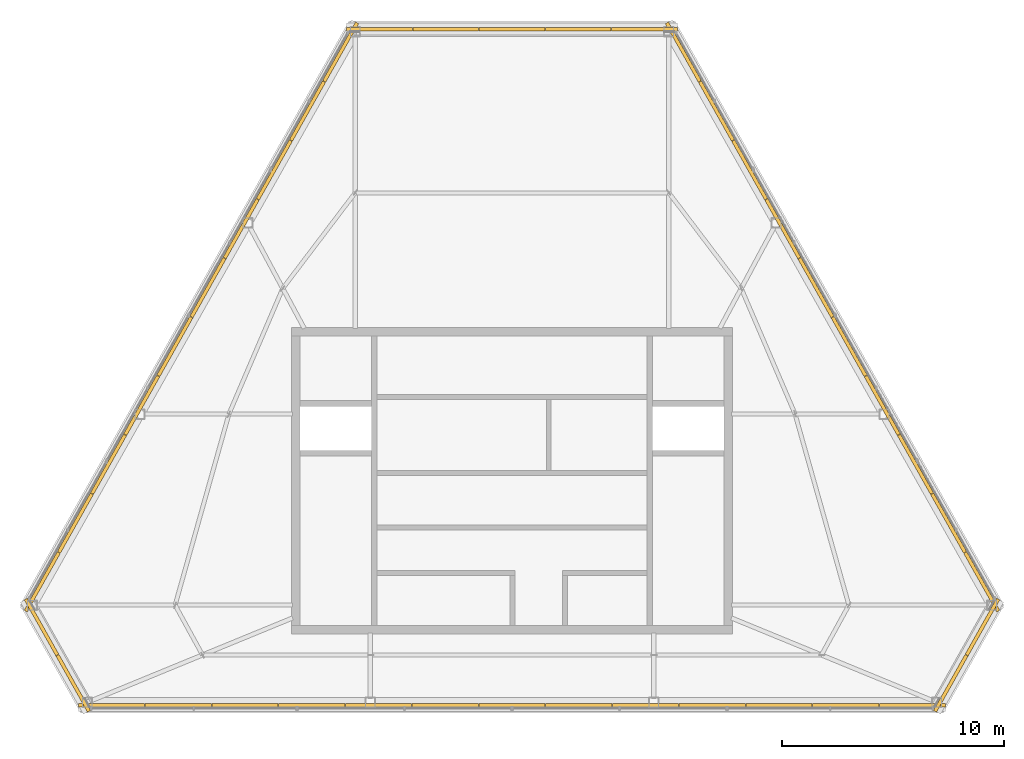
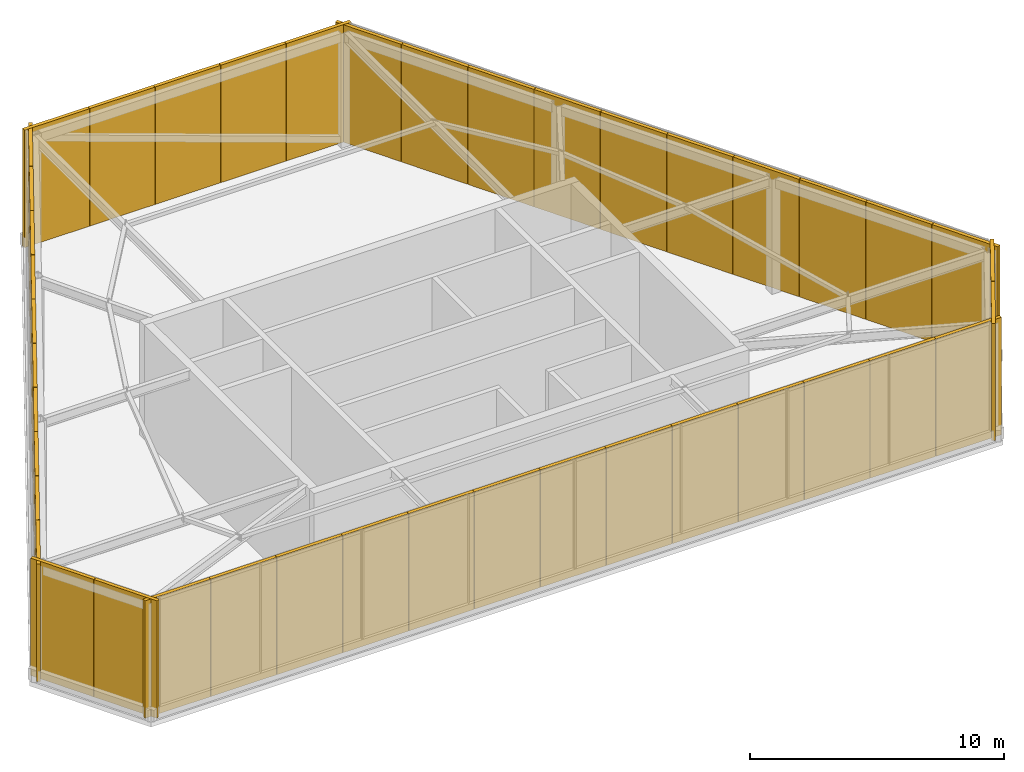
# One storey, part 12 of 12: 42 shading devices.
"""IFC4 building model written with IfcOpenShell, lengths in metres."""

from ifc_helpers import new_model, si_unit, direction, frame, origin, origin_2d, place, context, subcontext, project, spatial, rectangle, extrude, material, layer, layer_set, type_object, element, save


model = new_model("IFC4")

# Units and contexts
model_context = context("Model", 3, precision=1e-05, world=origin(), true_north=direction((0.0, 1.0)))
body_context = subcontext(model_context, "Body", "Model", "MODEL_VIEW")
ifc_project = project(units=[si_unit("LENGTHUNIT", "METRE"), si_unit("AREAUNIT", "SQUARE_METRE"), si_unit("VOLUMEUNIT", "CUBIC_METRE"), si_unit("PLANEANGLEUNIT", "RADIAN"), si_unit("MASSUNIT", "GRAM", prefix="KILO")], contexts=[model_context])

# Site, building, storey
site_placement = place(None, origin())
site = spatial("IfcSite", under=ifc_project, at=site_placement, CompositionType="ELEMENT")
building_placement = place(site_placement, origin())
building = spatial("IfcBuilding", under=site, at=building_placement, Name="Kavelnor Concourse Tower", CompositionType="ELEMENT")
storey_placement = place(building_placement, frame((0.0, 0.0, 315.699951171875)))
storey = spatial("IfcBuildingStorey", under=building, at=storey_placement, Name="L79", CompositionType="ELEMENT", Elevation=315.699951171875)

# Shading devices
ifc_material = material(Name="Architectural bronze-anodised aluminium", Category="aluminium")
ifc_layer = layer(ifc_material, 0.080078125, Name="Architectural bronze-anodised aluminium")
ifc_layer_set = layer_set([ifc_layer], Name="Architectural bronze-anodised aluminium")
shading_device_type = type_object("IfcShadingDeviceType", Name="SHD-CROWN-LOUVRE", PredefinedType="USERDEFINED", material=ifc_layer_set)
for number, where, z_axis, x_axis, name in (
    (1, (43.959716796875, 36.39599609375, 0.06005859375), (0.0, 0.0, 1.0), (-1.0, 0.0, 0.0), "L79 Screened Crown Acoustic Louvre Panel E0-P1"),
    (2, (40.979736328125, 36.39599609375, 0.06005859375), (0.0, 0.0, 1.0), (-1.0, 0.0, 0.0), "L79 Screened Crown Acoustic Louvre Panel E0-P2"),
    (3, (38.0, 36.39599609375, 0.06005859375), (0.0, 0.0, 1.0), (-1.0, 0.0, 0.0), "L79 Screened Crown Acoustic Louvre Panel E0-P3"),
    (4, (35.020263671875, 36.39599609375, 0.06005859375), (0.0, 0.0, 1.0), (-1.0, 0.0, 0.0), "L79 Screened Crown Acoustic Louvre Panel E0-P4"),
    (5, (32.040283203125, 36.39599609375, 0.06005859375), (0.0, 0.0, 1.0), (-1.0, 0.0, 0.0), "L79 Screened Crown Acoustic Louvre Panel E0-P5"),
):
    element("IfcShadingDevice", number, at=place(storey_placement, frame(where, z_axis=z_axis, x_axis=x_axis)), inside=storey, type_object=shading_device_type, Name=name, ObjectType="LOUVRE", PredefinedType="USERDEFINED", context=body_context, shape_type="SweptSolid", body=[
        extrude(rectangle(XDim=2.959716796875, YDim=0.159912109375, at=origin_2d()), origin(), (0.0, 0.0, 1.0), 5.64990234375),
    ])
for number, where, z_axis, x_axis, name in (
    (6, (30.2978515625, 35.361083984375, 0.06005859375), (0.0, 0.0, 1.0), (-0.490751690644, -0.871299476719, 0.0), "L79 Screened Crown Acoustic Louvre Panel E1-P1"),
    (7, (28.807861328125, 32.71533203125, 0.06005859375), (0.0, 0.0, 1.0), (-0.490751690644, -0.871299476719, 0.0), "L79 Screened Crown Acoustic Louvre Panel E1-P2"),
    (8, (27.317626953125, 30.069580078125, 0.06005859375), (0.0, 0.0, 1.0), (-0.490751690644, -0.871299476719, 0.0), "L79 Screened Crown Acoustic Louvre Panel E1-P3"),
    (9, (25.827392578125, 27.423828125, 0.06005859375), (0.0, 0.0, 1.0), (-0.490751690644, -0.871299476719, 0.0), "L79 Screened Crown Acoustic Louvre Panel E1-P4"),
    (10, (24.33740234375, 24.778076171875, 0.06005859375), (0.0, 0.0, 1.0), (-0.490751690644, -0.871299476719, 0.0), "L79 Screened Crown Acoustic Louvre Panel E1-P5"),
    (11, (22.84716796875, 22.13232421875, 0.06005859375), (0.0, 0.0, 1.0), (-0.490751690644, -0.871299476719, 0.0), "L79 Screened Crown Acoustic Louvre Panel E1-P6"),
    (12, (21.357177734375, 19.486572265625, 0.06005859375), (0.0, 0.0, 1.0), (-0.490751690644, -0.871299476719, 0.0), "L79 Screened Crown Acoustic Louvre Panel E1-P7"),
    (13, (19.866943359375, 16.8408203125, 0.06005859375), (0.0, 0.0, 1.0), (-0.490751690644, -0.871299476719, 0.0), "L79 Screened Crown Acoustic Louvre Panel E1-P8"),
    (14, (18.376708984375, 14.195068359375, 0.06005859375), (0.0, 0.0, 1.0), (-0.490751690644, -0.871299476719, 0.0), "L79 Screened Crown Acoustic Louvre Panel E1-P9"),
    (15, (16.88671875, 11.54931640625, 0.06005859375), (0.0, 0.0, 1.0), (-0.490751690644, -0.871299476719, 0.0), "L79 Screened Crown Acoustic Louvre Panel E1-P10"),
):
    element("IfcShadingDevice", number, at=place(storey_placement, frame(where, z_axis=z_axis, x_axis=x_axis)), inside=storey, type_object=shading_device_type, Name=name, ObjectType="LOUVRE", PredefinedType="USERDEFINED", context=body_context, shape_type="SweptSolid", body=[
        extrude(rectangle(XDim=3.0166015625, YDim=0.159912109375, at=origin_2d()), origin(), (0.0, 0.0, 1.0), 5.64990234375),
    ])
for number, where, z_axis, x_axis, name in (
    (16, (16.854248046875, 9.5234375, 0.06005859375), (0.0, 0.0, 1.0), (0.490751690644, -0.871299476719, 0.0), "L79 Screened Crown Acoustic Louvre Panel E2-P1"),
    (17, (18.27978515625, 6.992431640625, 0.06005859375), (0.0, 0.0, 1.0), (0.490751690644, -0.871299476719, 0.0), "L79 Screened Crown Acoustic Louvre Panel E2-P2"),
):
    element("IfcShadingDevice", number, at=place(storey_placement, frame(where, z_axis=z_axis, x_axis=x_axis)), inside=storey, type_object=shading_device_type, Name=name, ObjectType="LOUVRE", PredefinedType="USERDEFINED", context=body_context, shape_type="SweptSolid", body=[
        extrude(rectangle(XDim=2.884765625, YDim=0.159912109375, at=origin_2d()), origin(), (0.0, 0.0, 1.0), 5.64990234375),
    ])
for number, where, z_axis, x_axis, name in (
    (18, (20.0, 6.014892578125, 0.06005859375), (0.0, 0.0, 1.0), (1.0, 0.0, 0.0), "L79 Screened Crown Acoustic Louvre Panel E3-P1"),
    (19, (23.0, 6.014892578125, 0.06005859375), (0.0, 0.0, 1.0), (1.0, 0.0, 0.0), "L79 Screened Crown Acoustic Louvre Panel E3-P2"),
    (20, (26.0, 6.014892578125, 0.06005859375), (0.0, 0.0, 1.0), (1.0, 0.0, 0.0), "L79 Screened Crown Acoustic Louvre Panel E3-P3"),
    (21, (29.0, 6.014892578125, 0.06005859375), (0.0, 0.0, 1.0), (1.0, 0.0, 0.0), "L79 Screened Crown Acoustic Louvre Panel E3-P4"),
    (22, (32.0, 6.014892578125, 0.06005859375), (0.0, 0.0, 1.0), (1.0, 0.0, 0.0), "L79 Screened Crown Acoustic Louvre Panel E3-P5"),
    (23, (35.0, 6.014892578125, 0.06005859375), (0.0, 0.0, 1.0), (1.0, 0.0, 0.0), "L79 Screened Crown Acoustic Louvre Panel E3-P6"),
    (24, (38.0, 6.014892578125, 0.06005859375), (0.0, 0.0, 1.0), (1.0, 0.0, 0.0), "L79 Screened Crown Acoustic Louvre Panel E3-P7"),
    (25, (41.0, 6.014892578125, 0.06005859375), (0.0, 0.0, 1.0), (1.0, 0.0, 0.0), "L79 Screened Crown Acoustic Louvre Panel E3-P8"),
    (26, (44.0, 6.014892578125, 0.06005859375), (0.0, 0.0, 1.0), (1.0, 0.0, 0.0), "L79 Screened Crown Acoustic Louvre Panel E3-P9"),
    (27, (47.0, 6.014892578125, 0.06005859375), (0.0, 0.0, 1.0), (1.0, 0.0, 0.0), "L79 Screened Crown Acoustic Louvre Panel E3-P10"),
    (28, (50.0, 6.014892578125, 0.06005859375), (0.0, 0.0, 1.0), (1.0, 0.0, 0.0), "L79 Screened Crown Acoustic Louvre Panel E3-P11"),
    (29, (53.0, 6.014892578125, 0.06005859375), (0.0, 0.0, 1.0), (1.0, 0.0, 0.0), "L79 Screened Crown Acoustic Louvre Panel E3-P12"),
    (30, (56.0, 6.014892578125, 0.06005859375), (0.0, 0.0, 1.0), (1.0, 0.0, 0.0), "L79 Screened Crown Acoustic Louvre Panel E3-P13"),
):
    element("IfcShadingDevice", number, at=place(storey_placement, frame(where, z_axis=z_axis, x_axis=x_axis)), inside=storey, type_object=shading_device_type, Name=name, ObjectType="LOUVRE", PredefinedType="USERDEFINED", context=body_context, shape_type="SweptSolid", body=[
        extrude(rectangle(XDim=2.97998046875, YDim=0.159912109375, at=origin_2d()), origin(), (0.0, 0.0, 1.0), 5.64990234375),
    ])
for number, where, z_axis, x_axis, name in (
    (31, (57.72021484375, 6.992431640625, 0.06005859375), (0.0, 0.0, 1.0), (0.490751690644, 0.871299476719, 0.0), "L79 Screened Crown Acoustic Louvre Panel E4-P1"),
    (32, (59.145751953125, 9.5234375, 0.06005859375), (0.0, 0.0, 1.0), (0.490751690644, 0.871299476719, 0.0), "L79 Screened Crown Acoustic Louvre Panel E4-P2"),
):
    element("IfcShadingDevice", number, at=place(storey_placement, frame(where, z_axis=z_axis, x_axis=x_axis)), inside=storey, type_object=shading_device_type, Name=name, ObjectType="LOUVRE", PredefinedType="USERDEFINED", context=body_context, shape_type="SweptSolid", body=[
        extrude(rectangle(XDim=2.884765625, YDim=0.159912109375, at=origin_2d()), origin(), (0.0, 0.0, 1.0), 5.64990234375),
    ])
for number, where, z_axis, x_axis, name in (
    (33, (59.11328125, 11.54931640625, 0.06005859375), (0.0, 0.0, 1.0), (-0.490751690644, 0.871299476719, 0.0), "L79 Screened Crown Acoustic Louvre Panel E5-P1"),
    (34, (57.623291015625, 14.195068359375, 0.06005859375), (0.0, 0.0, 1.0), (-0.490751690644, 0.871299476719, 0.0), "L79 Screened Crown Acoustic Louvre Panel E5-P2"),
    (35, (56.133056640625, 16.8408203125, 0.06005859375), (0.0, 0.0, 1.0), (-0.490751690644, 0.871299476719, 0.0), "L79 Screened Crown Acoustic Louvre Panel E5-P3"),
    (36, (54.642822265625, 19.486572265625, 0.06005859375), (0.0, 0.0, 1.0), (-0.490751690644, 0.871299476719, 0.0), "L79 Screened Crown Acoustic Louvre Panel E5-P4"),
    (37, (53.15283203125, 22.13232421875, 0.06005859375), (0.0, 0.0, 1.0), (-0.490751690644, 0.871299476719, 0.0), "L79 Screened Crown Acoustic Louvre Panel E5-P5"),
    (38, (51.66259765625, 24.778076171875, 0.06005859375), (0.0, 0.0, 1.0), (-0.490751690644, 0.871299476719, 0.0), "L79 Screened Crown Acoustic Louvre Panel E5-P6"),
    (39, (50.172607421875, 27.423828125, 0.06005859375), (0.0, 0.0, 1.0), (-0.490751690644, 0.871299476719, 0.0), "L79 Screened Crown Acoustic Louvre Panel E5-P7"),
    (40, (48.682373046875, 30.069580078125, 0.06005859375), (0.0, 0.0, 1.0), (-0.490751690644, 0.871299476719, 0.0), "L79 Screened Crown Acoustic Louvre Panel E5-P8"),
    (41, (47.192138671875, 32.71533203125, 0.06005859375), (0.0, 0.0, 1.0), (-0.490751690644, 0.871299476719, 0.0), "L79 Screened Crown Acoustic Louvre Panel E5-P9"),
    (42, (45.7021484375, 35.361083984375, 0.06005859375), (0.0, 0.0, 1.0), (-0.490751690644, 0.871299476719, 0.0), "L79 Screened Crown Acoustic Louvre Panel E5-P10"),
):
    element("IfcShadingDevice", number, at=place(storey_placement, frame(where, z_axis=z_axis, x_axis=x_axis)), inside=storey, type_object=shading_device_type, Name=name, ObjectType="LOUVRE", PredefinedType="USERDEFINED", context=body_context, shape_type="SweptSolid", body=[
        extrude(rectangle(XDim=3.0166015625, YDim=0.159912109375, at=origin_2d()), origin(), (0.0, 0.0, 1.0), 5.64990234375),
    ])

save(model, "model.ifc")
